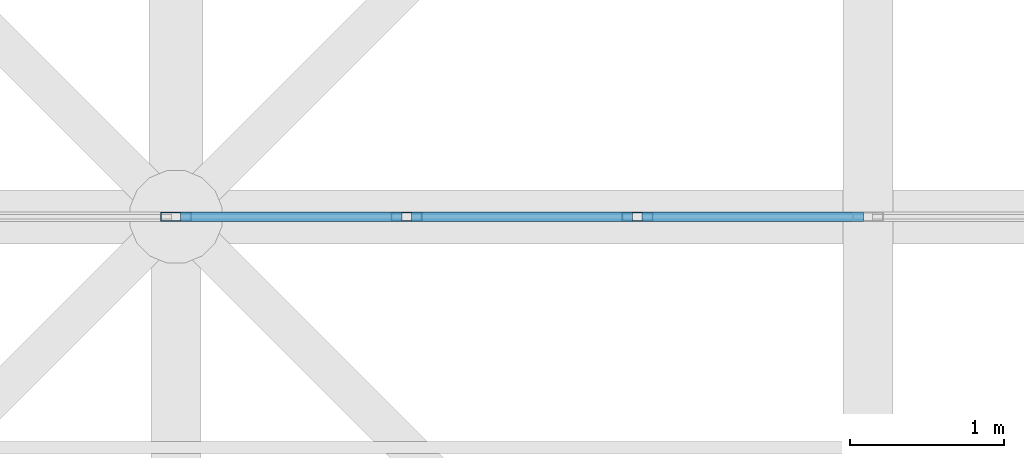
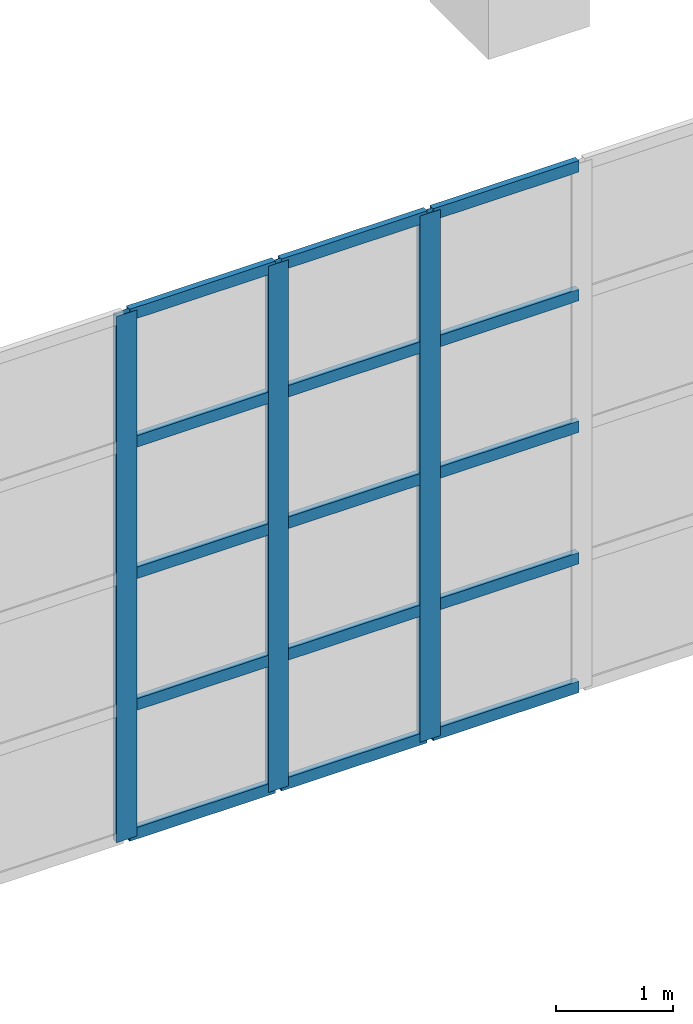
# One storey, part 161 of 437: 18 members, 1 element without a shape of its own.
"""IFC4 building model written with IfcOpenShell, lengths in metres."""

import ifcopenshell
import ifcopenshell.guid

model = None  # the IFC model being written
_history = None  # IfcOwnerHistory: only IFC2X3 demands one
_inside = {}  # id of a spatial element -> (the spatial element, [elements in it])
_under = {}  # id of a project, library or spatial element -> (it, [spatial elements below it])
_declared = {}  # id of a project -> (the project, [libraries it declares])
_typed = {}  # id of a type object -> (the type object, [elements of that type])
_made_of = {}  # id of a material, layer set ... -> (it, [elements and type objects made of it])


def new_model(schema):
    """Start an empty IFC model of exactly this schema.

    Asked for "IFC4X3", IfcOpenShell would pick the latest addendum, in which some entities
    have other attributes; the version numbers below select the first issue.
    IFC2X3 requires an IfcOwnerHistory on every rooted entity: one is made here for all.
    """
    global model, _history
    if schema == "IFC4X3":
        model = ifcopenshell.file(schema_version=(4, 3, 0, 0))
    else:
        model = ifcopenshell.file(schema=schema)
    _inside.clear()
    _under.clear()
    _declared.clear()
    _typed.clear()
    _made_of.clear()
    _history = None
    if model.schema == "IFC2X3":
        org = make("IfcOrganization", Name="unknown")
        user = make(
            "IfcPersonAndOrganization",
            ThePerson=make("IfcPerson", FamilyName="unknown"),
            TheOrganization=org,
        )
        app = make(
            "IfcApplication",
            ApplicationDeveloper=org,
            Version="unknown",
            ApplicationFullName="unknown",
            ApplicationIdentifier="unknown",
        )
        _history = make(
            "IfcOwnerHistory",
            OwningUser=user,
            OwningApplication=app,
            ChangeAction="ADDED",
            CreationDate=0,
        )
    return model


def make(cls, **values):
    """One entity of the class cls with the attributes given. An attribute that is None is left unset."""
    return model.create_entity(
        cls, **{name: value for name, value in values.items() if value is not None}
    )


def rooted(cls, **values):
    """An entity with a GlobalId (a new one), such as an element, a storey or a relation."""
    return make(cls, GlobalId=ifcopenshell.guid.new(), OwnerHistory=_history, **values)


def si_unit(unit_type, name, prefix=None):
    """IfcSIUnit, for example si_unit("LENGTHUNIT", "METRE", prefix="MILLI")."""
    return make("IfcSIUnit", UnitType=unit_type, Prefix=prefix, Name=name)


def assignment(units):
    """IfcUnitAssignment: the units of a project."""
    return None if units is None else make("IfcUnitAssignment", Units=units)


def point(xyz):
    """IfcCartesianPoint."""
    return None if xyz is None else make("IfcCartesianPoint", Coordinates=xyz)


def direction(xyz):
    """IfcDirection."""
    return None if xyz is None else make("IfcDirection", DirectionRatios=xyz)


def frame(location, z_axis=None, x_axis=None):
    """IfcAxis2Placement3D, a coordinate frame: its origin and axes. An axis left out is left unset."""
    return make(
        "IfcAxis2Placement3D",
        Location=point(location),
        Axis=direction(z_axis),
        RefDirection=direction(x_axis),
    )


def frame_2d(location, x_axis=None):
    """IfcAxis2Placement2D, a coordinate frame in the plane: its origin and x axis."""
    return make(
        "IfcAxis2Placement2D", Location=point(location), RefDirection=direction(x_axis)
    )


def origin():
    """The frame at (0, 0, 0) with its axes left unset."""
    return frame((0.0, 0.0, 0.0))


def origin_2d():
    """The frame at (0, 0) in the plane with its x axis left unset."""
    return frame_2d((0.0, 0.0))


def place(relative_to, where):
    """IfcLocalPlacement: puts the frame where relative to a parent placement (None: the world)."""
    return make(
        "IfcLocalPlacement", PlacementRelTo=relative_to, RelativePlacement=where
    )


def context(
    kind, dimensions, precision=None, world=None, true_north=None, identifier=None
):
    """IfcGeometricRepresentationContext, for example the 3D "Model" context."""
    return make(
        "IfcGeometricRepresentationContext",
        ContextIdentifier=identifier,
        ContextType=kind,
        CoordinateSpaceDimension=dimensions,
        Precision=precision,
        WorldCoordinateSystem=world,
        TrueNorth=true_north,
    )


def subcontext(parent, identifier, kind, view, scale=None):
    """IfcGeometricRepresentationSubContext, for example "Body" below "Model"."""
    return make(
        "IfcGeometricRepresentationSubContext",
        ContextIdentifier=identifier,
        ContextType=kind,
        ParentContext=parent,
        TargetScale=scale,
        TargetView=view,
    )


def project(units=None, contexts=None):
    """IfcProject with its units and contexts."""
    return rooted(
        "IfcProject",
        Name="project",
        RepresentationContexts=contexts,
        UnitsInContext=assignment(units),
    )


def spatial(cls, under=None, at=None, **own):
    """A site, building, storey or space (cls), placed at a placement, below another one or the project."""
    s = rooted(cls, ObjectPlacement=at, **own)
    if under is not None:
        _under.setdefault(under.id(), (under, []))[1].append(s)
    return s


def profile(cls, at=None, kind="AREA", **sizes):
    """A parametric profile (cls). Its sizes go by their IFC names, for example OverallWidth=200.0."""
    return make(cls, ProfileType=kind, Position=at, **sizes)


def hollow_rectangle(**sizes):
    """IfcRectangleHollowProfileDef."""
    return profile("IfcRectangleHollowProfileDef", **sizes)


def extrude(swept, where, along, depth):
    """IfcExtrudedAreaSolid: the profile swept, set in the frame where, extruded along a direction by depth."""
    return make(
        "IfcExtrudedAreaSolid",
        SweptArea=swept,
        Position=where,
        ExtrudedDirection=direction(along),
        Depth=depth,
    )


def shape(context_of_items, identifier, shape_type, items):
    """IfcShapeRepresentation: the items that make up one representation, for example the "Body"."""
    return make(
        "IfcShapeRepresentation",
        ContextOfItems=context_of_items,
        RepresentationIdentifier=identifier,
        RepresentationType=shape_type,
        Items=items,
    )


def material(Name=None, Category=None):
    """IfcMaterial."""
    return make("IfcMaterial", Name=Name, Category=Category)


def layer(
    of_material, thickness, ventilated=None, Name=None, Category=None, Priority=None
):
    """IfcMaterialLayer: one layer of a wall or slab, of a material (None: an air gap)."""
    return make(
        "IfcMaterialLayer",
        Material=of_material,
        LayerThickness=thickness,
        IsVentilated=ventilated,
        Name=Name,
        Category=Category,
        Priority=Priority,
    )


def layer_set(layers, Name=None):
    """IfcMaterialLayerSet."""
    return make("IfcMaterialLayerSet", MaterialLayers=layers, LayerSetName=Name)


def material_profile(
    of_material, cross_section, Name=None, Category=None, Priority=None
):
    """IfcMaterialProfile: a cross section and its material."""
    return make(
        "IfcMaterialProfile",
        Name=Name,
        Material=of_material,
        Profile=cross_section,
        Priority=Priority,
        Category=Category,
    )


def profile_set(profiles, Name=None, composite=None):
    """IfcMaterialProfileSet."""
    return make(
        "IfcMaterialProfileSet",
        Name=Name,
        MaterialProfiles=profiles,
        CompositeProfile=composite,
    )


def made_of(thing, what):
    """Note that an element or type object is made of a material, layer set ...; save() writes the relation."""
    if what is not None:
        _made_of.setdefault(what.id(), (what, []))[1].append(thing)
    return thing


def type_object(cls, material=None, **own):
    """A type object (cls), such as IfcWallType, which elements share."""
    return made_of(rooted(cls, **own), material)


def element(
    cls,
    number,
    at=None,
    inside=None,
    cuts=None,
    type_object=None,
    material=None,
    context=None,
    identifier="Body",
    shape_type=None,
    held_by="IfcProductDefinitionShape",
    body=None,
    shapes=None,
    **own,
):
    """One element of the class cls, such as IfcWall. Its Tag is "e" and its number.

    at: its placement. inside: the storey or other place that contains it. cuts: it is an
    opening in that element (IfcRelVoidsElement). A single representation is given by context,
    identifier, shape_type and body (its items); several are given by shapes. held_by: the class
    of the entity that holds the representations. save() writes the other relations.
    """
    e = rooted(cls, Tag="e%d" % number, ObjectPlacement=at, **own)
    if body is not None:
        shapes = [shape(context, identifier, shape_type, body)]
    if shapes is not None:
        e.Representation = make(held_by, Representations=shapes)
    if inside is not None:
        _inside.setdefault(inside.id(), (inside, []))[1].append(e)
    if cuts is not None:
        rooted(
            "IfcRelVoidsElement", RelatingBuildingElement=cuts, RelatedOpeningElement=e
        )
    if type_object is not None:
        _typed.setdefault(type_object.id(), (type_object, []))[1].append(e)
    return made_of(e, material)


def aggregate(whole, parts):
    """IfcRelAggregates: a whole, such as a stair, and the parts it consists of."""
    return rooted("IfcRelAggregates", RelatingObject=whole, RelatedObjects=parts)


def save(model, path):
    """Write the relations noted so far, then the file.

    IfcRelAggregates (storeys below a building ...), IfcRelContainedInSpatialStructure (elements
    in a storey), IfcRelDefinesByType, IfcRelAssociatesMaterial and IfcRelDeclares: one each for
    every whole, place, type object, material and project.
    """
    for whole, parts in _under.values():
        aggregate(whole, parts)
    for where, things in _inside.values():
        rooted(
            "IfcRelContainedInSpatialStructure",
            RelatedElements=things,
            RelatingStructure=where,
        )
    for kind, things in _typed.values():
        rooted("IfcRelDefinesByType", RelatedObjects=things, RelatingType=kind)
    for what, things in _made_of.values():
        rooted("IfcRelAssociatesMaterial", RelatedObjects=things, RelatingMaterial=what)
    for by, libraries in _declared.values():
        rooted("IfcRelDeclares", RelatingContext=by, RelatedDefinitions=libraries)
    model.write(path)


model = new_model("IFC4")

# Units and contexts
model_context = context("Model", 3, precision=1e-05, world=origin(), true_north=direction((0.0, 1.0)))
body_context = subcontext(model_context, "Body", "Model", "MODEL_VIEW")
ifc_project = project(units=[si_unit("LENGTHUNIT", "METRE"), si_unit("AREAUNIT", "SQUARE_METRE"), si_unit("VOLUMEUNIT", "CUBIC_METRE"), si_unit("PLANEANGLEUNIT", "RADIAN"), si_unit("MASSUNIT", "GRAM", prefix="KILO")], contexts=[model_context])

# Site, building, storey
site_placement = place(None, origin())
site = spatial("IfcSite", under=ifc_project, at=site_placement, CompositionType="ELEMENT")
building_placement = place(site_placement, origin())
building = spatial("IfcBuilding", under=site, at=building_placement, Name="Opaline Strait Convention Centre", CompositionType="ELEMENT")
storey_placement = place(building_placement, frame((0.0, 0.0, 11.5)))
storey = spatial("IfcBuildingStorey", under=building, at=storey_placement, Name="L02", CompositionType="ELEMENT", Elevation=11.5)

# Curtain wall, members
ifc_material_1 = material(Name="Aluminium framed glazing", Category="aluminium")
ifc_layer = layer(ifc_material_1, 0.199951171875)
ifc_layer_set = layer_set([ifc_layer], Name="Aluminium framed glazing")
curtain_wall_type = type_object("IfcCurtainWallType", Name="Entrance curtain wall 1500", PredefinedType="NOTDEFINED", material=ifc_layer_set)
curtain_wall_placement = place(storey_placement, origin())
curtain_wall = element("IfcCurtainWall", 1, at=curtain_wall_placement, inside=storey, type_object=curtain_wall_type, Name="Entrance curtain wall L02-R1", PredefinedType="NOTDEFINED")
ifc_material_2 = material(Name="Aluminium alloy 6063", Category="aluminium")
ifc_material_profile_1 = material_profile(ifc_material_2, hollow_rectangle(XDim=0.06005859375, YDim=0.199951171875, WallThickness=0.00390625, at=origin_2d()), Name="MULLION 60x200x4")
ifc_profile_set_1 = profile_set([ifc_material_profile_1], Name="Aluminium alloy 6063")
member_type_1 = type_object("IfcMemberType", Name="Curtain wall mullion 60 x 200", PredefinedType="MULLION", material=ifc_profile_set_1)
member_1_placement = place(storey_placement, frame((162.0, 144.0, 0.0), z_axis=(0.0, 0.0, 1.0), x_axis=(0.0, 1.0, 0.0)))
member_1 = element("IfcMember", 2, at=member_1_placement, type_object=member_type_1, Name="XCW mullion 7", PredefinedType="MULLION", context=body_context, shape_type="SweptSolid", body=[
    extrude(hollow_rectangle(XDim=0.06005859375, YDim=0.199951171875, WallThickness=0.00390625, at=origin_2d()), origin(), (0.0, 0.0, 1.0), 5.5),
])
member_2_placement = place(storey_placement, frame((163.5, 144.0, 0.0), z_axis=(0.0, 0.0, 1.0), x_axis=(0.0, 1.0, 0.0)))
member_2 = element("IfcMember", 3, at=member_2_placement, type_object=member_type_1, Name="XCW mullion 8", PredefinedType="MULLION", context=body_context, shape_type="SweptSolid", body=[
    extrude(hollow_rectangle(XDim=0.06005859375, YDim=0.199951171875, WallThickness=0.00390625, at=origin_2d()), origin(), (0.0, 0.0, 1.0), 5.5),
])
member_3_placement = place(storey_placement, frame((165.0, 144.0, 0.0), z_axis=(0.0, 0.0, 1.0), x_axis=(0.0, 1.0, 0.0)))
member_3 = element("IfcMember", 4, at=member_3_placement, type_object=member_type_1, Name="XCW mullion 9", PredefinedType="MULLION", context=body_context, shape_type="SweptSolid", body=[
    extrude(hollow_rectangle(XDim=0.06005859375, YDim=0.199951171875, WallThickness=0.00390625, at=origin_2d()), origin(), (0.0, 0.0, 1.0), 5.5),
])
ifc_material_profile_2 = material_profile(ifc_material_2, hollow_rectangle(XDim=0.06005859375, YDim=0.1201171875, WallThickness=0.0029296875, at=origin_2d()), Name="TRANSOM 60x120x3")
ifc_profile_set_2 = profile_set([ifc_material_profile_2], Name="Aluminium alloy 6063")
member_type_2 = type_object("IfcMemberType", Name="Curtain wall transom 60 x 120", PredefinedType="USERDEFINED", material=ifc_profile_set_2)
member_4_placement = place(storey_placement, frame((162.030029296875, 144.0, 0.030029296875), z_axis=(1.0, 0.0, 0.0), x_axis=(0.0, 1.0, 0.0)))
member_4 = element("IfcMember", 5, at=member_4_placement, type_object=member_type_2, Name="XCW transom 7.1", ObjectType="TRANSOM", PredefinedType="USERDEFINED", context=body_context, shape_type="SweptSolid", body=[
    extrude(hollow_rectangle(XDim=0.06005859375, YDim=0.1201171875, WallThickness=0.0029296875, at=origin_2d()), origin(), (0.0, 0.0, 1.0), 1.43994140625),
])
member_5_placement = place(storey_placement, frame((162.030029296875, 144.0, 1.375), z_axis=(1.0, 0.0, 0.0), x_axis=(0.0, 1.0, 0.0)))
member_5 = element("IfcMember", 6, at=member_5_placement, type_object=member_type_2, Name="XCW transom 7.2", ObjectType="TRANSOM", PredefinedType="USERDEFINED", context=body_context, shape_type="SweptSolid", body=[
    extrude(hollow_rectangle(XDim=0.06005859375, YDim=0.1201171875, WallThickness=0.0029296875, at=origin_2d()), origin(), (0.0, 0.0, 1.0), 1.43994140625),
])
member_6_placement = place(storey_placement, frame((162.030029296875, 144.0, 2.75), z_axis=(1.0, 0.0, 0.0), x_axis=(0.0, 1.0, 0.0)))
member_6 = element("IfcMember", 7, at=member_6_placement, type_object=member_type_2, Name="XCW transom 7.3", ObjectType="TRANSOM", PredefinedType="USERDEFINED", context=body_context, shape_type="SweptSolid", body=[
    extrude(hollow_rectangle(XDim=0.06005859375, YDim=0.1201171875, WallThickness=0.0029296875, at=origin_2d()), origin(), (0.0, 0.0, 1.0), 1.43994140625),
])
member_7_placement = place(storey_placement, frame((162.030029296875, 144.0, 4.125), z_axis=(1.0, 0.0, 0.0), x_axis=(0.0, 1.0, 0.0)))
member_7 = element("IfcMember", 8, at=member_7_placement, type_object=member_type_2, Name="XCW transom 7.4", ObjectType="TRANSOM", PredefinedType="USERDEFINED", context=body_context, shape_type="SweptSolid", body=[
    extrude(hollow_rectangle(XDim=0.06005859375, YDim=0.1201171875, WallThickness=0.0029296875, at=origin_2d()), origin(), (0.0, 0.0, 1.0), 1.43994140625),
])
member_8_placement = place(storey_placement, frame((162.030029296875, 144.0, 5.469970703125), z_axis=(1.0, 0.0, 0.0), x_axis=(0.0, 1.0, 0.0)))
member_8 = element("IfcMember", 9, at=member_8_placement, type_object=member_type_2, Name="XCW transom 7.5", ObjectType="TRANSOM", PredefinedType="USERDEFINED", context=body_context, shape_type="SweptSolid", body=[
    extrude(hollow_rectangle(XDim=0.06005859375, YDim=0.1201171875, WallThickness=0.0029296875, at=origin_2d()), origin(), (0.0, 0.0, 1.0), 1.43994140625),
])
member_9_placement = place(storey_placement, frame((163.530029296875, 144.0, 0.030029296875), z_axis=(1.0, 0.0, 0.0), x_axis=(0.0, 1.0, 0.0)))
member_9 = element("IfcMember", 10, at=member_9_placement, type_object=member_type_2, Name="XCW transom 8.1", ObjectType="TRANSOM", PredefinedType="USERDEFINED", context=body_context, shape_type="SweptSolid", body=[
    extrude(hollow_rectangle(XDim=0.06005859375, YDim=0.1201171875, WallThickness=0.0029296875, at=origin_2d()), origin(), (0.0, 0.0, 1.0), 1.43994140625),
])
member_10_placement = place(storey_placement, frame((163.530029296875, 144.0, 1.375), z_axis=(1.0, 0.0, 0.0), x_axis=(0.0, 1.0, 0.0)))
member_10 = element("IfcMember", 11, at=member_10_placement, type_object=member_type_2, Name="XCW transom 8.2", ObjectType="TRANSOM", PredefinedType="USERDEFINED", context=body_context, shape_type="SweptSolid", body=[
    extrude(hollow_rectangle(XDim=0.06005859375, YDim=0.1201171875, WallThickness=0.0029296875, at=origin_2d()), origin(), (0.0, 0.0, 1.0), 1.43994140625),
])
member_11_placement = place(storey_placement, frame((163.530029296875, 144.0, 2.75), z_axis=(1.0, 0.0, 0.0), x_axis=(0.0, 1.0, 0.0)))
member_11 = element("IfcMember", 12, at=member_11_placement, type_object=member_type_2, Name="XCW transom 8.3", ObjectType="TRANSOM", PredefinedType="USERDEFINED", context=body_context, shape_type="SweptSolid", body=[
    extrude(hollow_rectangle(XDim=0.06005859375, YDim=0.1201171875, WallThickness=0.0029296875, at=origin_2d()), origin(), (0.0, 0.0, 1.0), 1.43994140625),
])
member_12_placement = place(storey_placement, frame((163.530029296875, 144.0, 4.125), z_axis=(1.0, 0.0, 0.0), x_axis=(0.0, 1.0, 0.0)))
member_12 = element("IfcMember", 13, at=member_12_placement, type_object=member_type_2, Name="XCW transom 8.4", ObjectType="TRANSOM", PredefinedType="USERDEFINED", context=body_context, shape_type="SweptSolid", body=[
    extrude(hollow_rectangle(XDim=0.06005859375, YDim=0.1201171875, WallThickness=0.0029296875, at=origin_2d()), origin(), (0.0, 0.0, 1.0), 1.43994140625),
])
member_13_placement = place(storey_placement, frame((163.530029296875, 144.0, 5.469970703125), z_axis=(1.0, 0.0, 0.0), x_axis=(0.0, 1.0, 0.0)))
member_13 = element("IfcMember", 14, at=member_13_placement, type_object=member_type_2, Name="XCW transom 8.5", ObjectType="TRANSOM", PredefinedType="USERDEFINED", context=body_context, shape_type="SweptSolid", body=[
    extrude(hollow_rectangle(XDim=0.06005859375, YDim=0.1201171875, WallThickness=0.0029296875, at=origin_2d()), origin(), (0.0, 0.0, 1.0), 1.43994140625),
])
member_14_placement = place(storey_placement, frame((165.030029296875, 144.0, 0.030029296875), z_axis=(1.0, 0.0, 0.0), x_axis=(0.0, 1.0, 0.0)))
member_14 = element("IfcMember", 15, at=member_14_placement, type_object=member_type_2, Name="XCW transom 9.1", ObjectType="TRANSOM", PredefinedType="USERDEFINED", context=body_context, shape_type="SweptSolid", body=[
    extrude(hollow_rectangle(XDim=0.06005859375, YDim=0.1201171875, WallThickness=0.0029296875, at=origin_2d()), origin(), (0.0, 0.0, 1.0), 1.43994140625),
])
member_15_placement = place(storey_placement, frame((165.030029296875, 144.0, 1.375), z_axis=(1.0, 0.0, 0.0), x_axis=(0.0, 1.0, 0.0)))
member_15 = element("IfcMember", 16, at=member_15_placement, type_object=member_type_2, Name="XCW transom 9.2", ObjectType="TRANSOM", PredefinedType="USERDEFINED", context=body_context, shape_type="SweptSolid", body=[
    extrude(hollow_rectangle(XDim=0.06005859375, YDim=0.1201171875, WallThickness=0.0029296875, at=origin_2d()), origin(), (0.0, 0.0, 1.0), 1.43994140625),
])
member_16_placement = place(storey_placement, frame((165.030029296875, 144.0, 2.75), z_axis=(1.0, 0.0, 0.0), x_axis=(0.0, 1.0, 0.0)))
member_16 = element("IfcMember", 17, at=member_16_placement, type_object=member_type_2, Name="XCW transom 9.3", ObjectType="TRANSOM", PredefinedType="USERDEFINED", context=body_context, shape_type="SweptSolid", body=[
    extrude(hollow_rectangle(XDim=0.06005859375, YDim=0.1201171875, WallThickness=0.0029296875, at=origin_2d()), origin(), (0.0, 0.0, 1.0), 1.43994140625),
])
member_17_placement = place(storey_placement, frame((165.030029296875, 144.0, 4.125), z_axis=(1.0, 0.0, 0.0), x_axis=(0.0, 1.0, 0.0)))
member_17 = element("IfcMember", 18, at=member_17_placement, type_object=member_type_2, Name="XCW transom 9.4", ObjectType="TRANSOM", PredefinedType="USERDEFINED", context=body_context, shape_type="SweptSolid", body=[
    extrude(hollow_rectangle(XDim=0.06005859375, YDim=0.1201171875, WallThickness=0.0029296875, at=origin_2d()), origin(), (0.0, 0.0, 1.0), 1.43994140625),
])
member_18_placement = place(storey_placement, frame((165.030029296875, 144.0, 5.469970703125), z_axis=(1.0, 0.0, 0.0), x_axis=(0.0, 1.0, 0.0)))
member_18 = element("IfcMember", 19, at=member_18_placement, type_object=member_type_2, Name="XCW transom 9.5", ObjectType="TRANSOM", PredefinedType="USERDEFINED", context=body_context, shape_type="SweptSolid", body=[
    extrude(hollow_rectangle(XDim=0.06005859375, YDim=0.1201171875, WallThickness=0.0029296875, at=origin_2d()), origin(), (0.0, 0.0, 1.0), 1.43994140625),
])
aggregate(curtain_wall, [member_1, member_2, member_3, member_4, member_5, member_6, member_7, member_8, member_9, member_10, member_11, member_12, member_13, member_14, member_15, member_16, member_17, member_18])

save(model, "model.ifc")
